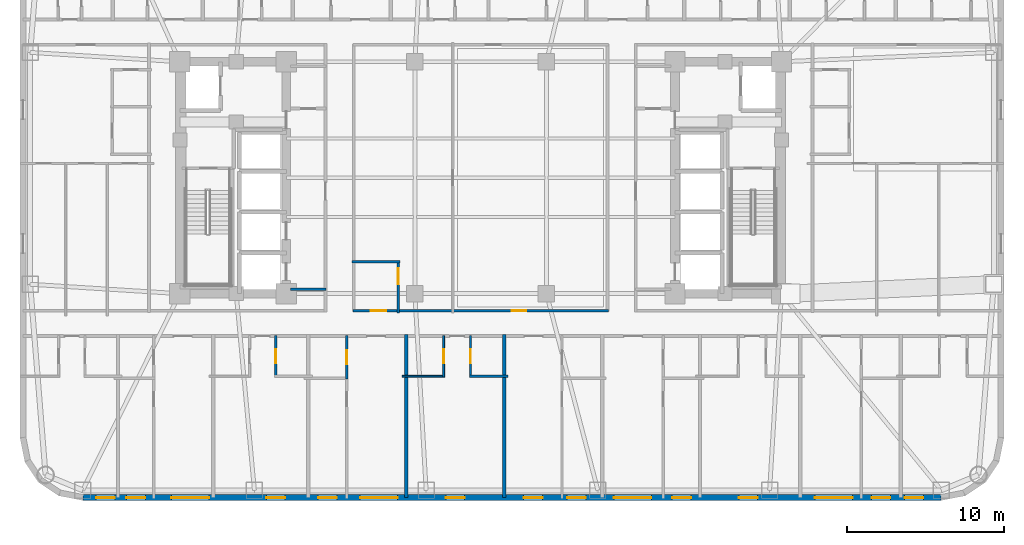
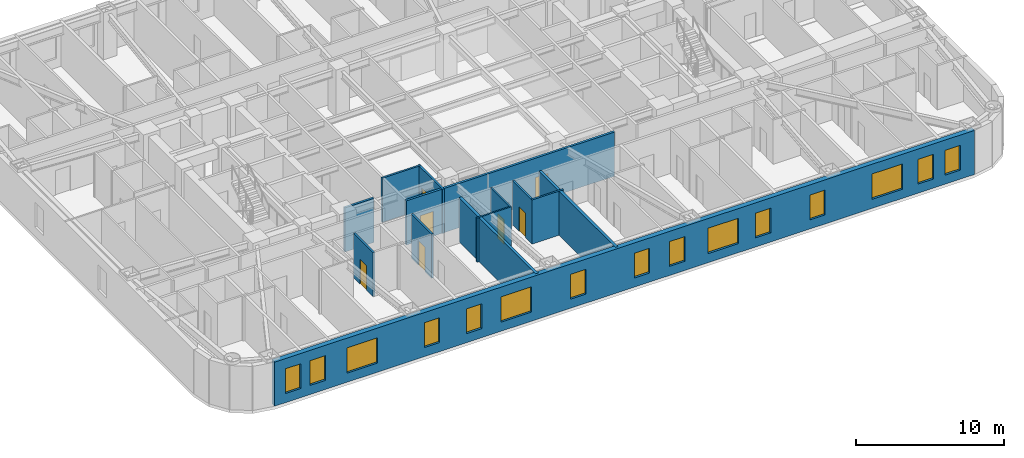
# One storey, part 3 of 13: 15 windows, 13 walls, 7 doors, 22 openings.
"""IFC4 building model written with IfcOpenShell, lengths in metres."""

from ifc_helpers import new_model, si_unit, direction, frame, frame_2d, origin, place, context, subcontext, project, spatial, rectangle, extrude, material, layer, layer_set, type_object, element, fill, save


model = new_model("IFC4")

# Units and contexts
model_context = context("Model", 3, precision=1e-05, world=origin(), true_north=direction((0.0, 1.0)))
body_context = subcontext(model_context, "Body", "Model", "MODEL_VIEW")
ifc_project = project(units=[si_unit("LENGTHUNIT", "METRE"), si_unit("AREAUNIT", "SQUARE_METRE"), si_unit("VOLUMEUNIT", "CUBIC_METRE"), si_unit("PLANEANGLEUNIT", "RADIAN"), si_unit("MASSUNIT", "GRAM", prefix="KILO")], contexts=[model_context])

# Site, building, storey
site_placement = place(None, origin())
site = spatial("IfcSite", under=ifc_project, at=site_placement, CompositionType="ELEMENT")
building_placement = place(site_placement, origin())
building = spatial("IfcBuilding", under=site, at=building_placement, Name="Voryun Gate Residences", CompositionType="ELEMENT")
storey_placement = place(building_placement, frame((0.0, 0.0, 124.800048828125)))
storey = spatial("IfcBuildingStorey", under=building, at=storey_placement, Name="L30", CompositionType="ELEMENT", Elevation=124.800048828125)

# Wall
ifc_material_1 = material(Name="Gypsum acoustic fireboard")
ifc_layer_1 = layer(ifc_material_1, 0.179931640625, Name="W_CORR_RATED_180")
ifc_layer_set_1 = layer_set([ifc_layer_1], Name="Gypsum acoustic fireboard")
wall_type_1 = type_object("IfcWallType", Name="W_CORR_RATED_180", PredefinedType="PARTITIONING", material=ifc_layer_set_1)
wall_1_placement = place(storey_placement, frame((-12.14990234375, -7.1201171875, 0.0), z_axis=(0.0, 0.0, 1.0), x_axis=(1.0, 0.0, 0.0)))
element("IfcWall", 1, at=wall_1_placement, inside=storey, type_object=wall_type_1, Name="Partition wall WP-L30-PLBS-W", PredefinedType="PARTITIONING", context=body_context, shape_type="SweptSolid", body=[
    extrude(rectangle(XDim=2.27001953125, YDim=0.179931640625, at=frame_2d((1.135009765625, 0.0))), origin(), (0.0, 0.0, 1.0), 3.64990234375),
])

# Wall, openings, doors
wall_2_placement = place(storey_placement, frame((-8.14990234375, -8.489990234375, 0.0), z_axis=(0.0, 0.0, 1.0), x_axis=(1.0, 0.0, 0.0)))
wall_2 = element("IfcWall", 2, at=wall_2_placement, inside=storey, type_object=wall_type_1, Name="Partition wall WP-L30-Z1S", PredefinedType="PARTITIONING", context=body_context, shape_type="SweptSolid", body=[
    extrude(rectangle(XDim=16.2998046875, YDim=0.179931640625, at=frame_2d((8.14990234375, 0.0))), origin(), (0.0, 0.0, 1.0), 3.64990234375),
])
opening_1_placement = place(wall_2_placement, frame((1.1298828125, 0.0, 0.0)))
opening_1 = element("IfcOpeningElement", 3, at=opening_1_placement, cuts=wall_2, Name="Opening D-AWC-1", PredefinedType="OPENING", context=body_context, shape_type="SweptSolid", body=[
    extrude(rectangle(XDim=1.0, YDim=2.050048828125, at=frame_2d((0.5, 1.02490234375))), frame((0.0, 0.099853515625, 0.0), z_axis=(0.0, -1.0, 0.0), x_axis=(1.0, 0.0, 0.0)), (0.0, 0.0, 1.0), 0.199951171875),
])
opening_2_placement = place(wall_2_placement, frame((10.1201171875, 0.0, 0.0)))
opening_2 = element("IfcOpeningElement", 4, at=opening_2_placement, cuts=wall_2, Name="Opening D-INT-1", PredefinedType="OPENING", context=body_context, shape_type="SweptSolid", body=[
    extrude(rectangle(XDim=0.949951171875, YDim=2.050048828125, at=frame_2d((0.47509765625, 1.02490234375))), frame((0.0, 0.099853515625, 0.0), z_axis=(0.0, -1.0, 0.0), x_axis=(1.0, 0.0, 0.0)), (0.0, 0.0, 1.0), 0.199951171875),
])
ifc_material_2 = material(Name="Architectural oak veneer")
door_type_1 = type_object("IfcDoorType", Name="DR_ACC_WC_1000", OperationType="NOTDEFINED", PredefinedType="DOOR", material=ifc_material_2)
door_1_placement = place(opening_1_placement, origin())
door_1 = element("IfcDoor", 5, at=door_1_placement, inside=storey, type_object=door_type_1, Name="Door DR-L30-CMWC-D", OperationType="SINGLE_SWING_LEFT", OverallHeight=2.050048828125, OverallWidth=1.0, PredefinedType="DOOR", context=body_context, shape_type="SweptSolid", body=[
    extrude(rectangle(XDim=1.0, YDim=2.050048828125, at=frame_2d((0.5, 1.02490234375))), frame((0.0, 0.02490234375, 0.0), z_axis=(0.0, -1.0, 0.0), x_axis=(1.0, 0.0, 0.0)), (0.0, 0.0, 1.0), 0.050048828125),
])
fill(opening_1, door_1)
ifc_material_3 = material(Name="Architectural oak veneer")
door_type_2 = type_object("IfcDoorType", Name="DR_INT_ROOM_950", OperationType="NOTDEFINED", PredefinedType="DOOR", material=ifc_material_3)
door_2_placement = place(opening_2_placement, origin())
door_2 = element("IfcDoor", 6, at=door_2_placement, inside=storey, type_object=door_type_2, Name="Door DR-L30-CMIDZ1S", OperationType="SINGLE_SWING_RIGHT", OverallHeight=2.050048828125, OverallWidth=0.949951171875, PredefinedType="DOOR", context=body_context, shape_type="SweptSolid", body=[
    extrude(rectangle(XDim=0.949951171875, YDim=2.050048828125, at=frame_2d((0.47509765625, 1.02490234375))), frame((0.0, 0.02490234375, 0.0), z_axis=(0.0, -1.0, 0.0), x_axis=(1.0, 0.0, 0.0)), (0.0, 0.0, 1.0), 0.050048828125),
])
fill(opening_2, door_2)

# Wall, openings, windows
ifc_material_4 = material(Name="Granite masonry", Category="masonry")
ifc_layer_2 = layer(ifc_material_4, 0.3798828125, Name="W_EXT_GRANITE_380")
ifc_layer_set_2 = layer_set([ifc_layer_2], Name="Granite masonry")
wall_type_2 = type_object("IfcWallType", Name="W_EXT_GRANITE_380", PredefinedType="ELEMENTEDWALL", material=ifc_layer_set_2)
wall_3_placement = place(storey_placement, frame((29.38134765625, -20.409912109375, 0.0), z_axis=(0.0, 0.0, 1.0), x_axis=(-1.0, 0.0, 0.0)))
wall_3 = element("IfcWall", 7, at=wall_3_placement, inside=storey, type_object=wall_type_2, Name="Exterior wall WEXT-L30-01", PredefinedType="ELEMENTEDWALL", context=body_context, shape_type="SweptSolid", body=[
    extrude(rectangle(XDim=54.7626953125, YDim=0.3798828125, at=frame_2d((27.38134765625, 0.0))), origin(), (0.0, 0.0, 1.0), 3.64990234375),
])
opening_3_placement = place(wall_3_placement, frame((5.645263671875, 0.0, 0.75)))
opening_3 = element("IfcOpeningElement", 8, at=opening_3_placement, cuts=wall_3, Name="Opening WN2", PredefinedType="OPENING", context=body_context, shape_type="SweptSolid", body=[
    extrude(rectangle(XDim=2.39990234375, YDim=2.10009765625, at=frame_2d((1.199951171875, 1.050048828125))), frame((0.0, 0.199951171875, 0.0), z_axis=(0.0, -1.0, 0.0), x_axis=(1.0, 0.0, 0.0)), (0.0, 0.0, 1.0), 0.39990234375),
])
opening_4_placement = place(wall_3_placement, frame((18.486083984375, 0.0, 0.75)))
opening_4 = element("IfcOpeningElement", 9, at=opening_4_placement, cuts=wall_3, Name="Opening WN2", PredefinedType="OPENING", context=body_context, shape_type="SweptSolid", body=[
    extrude(rectangle(XDim=2.39990234375, YDim=2.10009765625, at=frame_2d((1.199951171875, 1.050048828125))), frame((0.0, 0.199951171875, 0.0), z_axis=(0.0, -1.0, 0.0), x_axis=(1.0, 0.0, 0.0)), (0.0, 0.0, 1.0), 0.39990234375),
])
opening_5_placement = place(wall_3_placement, frame((34.676513671875, 0.0, 0.75)))
opening_5 = element("IfcOpeningElement", 10, at=opening_5_placement, cuts=wall_3, Name="Opening WN2", PredefinedType="OPENING", context=body_context, shape_type="SweptSolid", body=[
    extrude(rectangle(XDim=2.39990234375, YDim=2.10009765625, at=frame_2d((1.199951171875, 1.050048828125))), frame((0.0, 0.199951171875, 0.0), z_axis=(0.0, -1.0, 0.0), x_axis=(1.0, 0.0, 0.0)), (0.0, 0.0, 1.0), 0.39990234375),
])
opening_6_placement = place(wall_3_placement, frame((46.71728515625, 0.0, 0.75)))
opening_6 = element("IfcOpeningElement", 11, at=opening_6_placement, cuts=wall_3, Name="Opening WN2", PredefinedType="OPENING", context=body_context, shape_type="SweptSolid", body=[
    extrude(rectangle(XDim=2.39990234375, YDim=2.10009765625, at=frame_2d((1.199951171875, 1.050048828125))), frame((0.0, 0.199951171875, 0.0), z_axis=(0.0, -1.0, 0.0), x_axis=(1.0, 0.0, 0.0)), (0.0, 0.0, 1.0), 0.39990234375),
])
opening_7_placement = place(wall_3_placement, frame((52.719482421875, 0.0, 0.75)))
opening_7 = element("IfcOpeningElement", 12, at=opening_7_placement, cuts=wall_3, Name="Opening WN6", PredefinedType="OPENING", context=body_context, shape_type="SweptSolid", body=[
    extrude(rectangle(XDim=1.199951171875, YDim=2.050048828125, at=frame_2d((0.60009765625, 1.02490234375))), frame((0.0, 0.199951171875, 0.0), z_axis=(0.0, -1.0, 0.0), x_axis=(1.0, 0.0, 0.0)), (0.0, 0.0, 1.0), 0.39990234375),
])
opening_8_placement = place(wall_3_placement, frame((50.786376953125, 0.0, 0.75)))
opening_8 = element("IfcOpeningElement", 13, at=opening_8_placement, cuts=wall_3, Name="Opening WN6", PredefinedType="OPENING", context=body_context, shape_type="SweptSolid", body=[
    extrude(rectangle(XDim=1.199951171875, YDim=2.050048828125, at=frame_2d((0.60009765625, 1.02490234375))), frame((0.0, 0.199951171875, 0.0), z_axis=(0.0, -1.0, 0.0), x_axis=(1.0, 0.0, 0.0)), (0.0, 0.0, 1.0), 0.39990234375),
])
opening_9_placement = place(wall_3_placement, frame((41.85791015625, 0.0, 0.75)))
opening_9 = element("IfcOpeningElement", 14, at=opening_9_placement, cuts=wall_3, Name="Opening WN6", PredefinedType="OPENING", context=body_context, shape_type="SweptSolid", body=[
    extrude(rectangle(XDim=1.199951171875, YDim=2.050048828125, at=frame_2d((0.60009765625, 1.02490234375))), frame((0.0, 0.199951171875, 0.0), z_axis=(0.0, -1.0, 0.0), x_axis=(1.0, 0.0, 0.0)), (0.0, 0.0, 1.0), 0.39990234375),
])
opening_10_placement = place(wall_3_placement, frame((38.555908203125, 0.0, 0.75)))
opening_10 = element("IfcOpeningElement", 15, at=opening_10_placement, cuts=wall_3, Name="Opening WN6", PredefinedType="OPENING", context=body_context, shape_type="SweptSolid", body=[
    extrude(rectangle(XDim=1.199951171875, YDim=2.050048828125, at=frame_2d((0.60009765625, 1.02490234375))), frame((0.0, 0.199951171875, 0.0), z_axis=(0.0, -1.0, 0.0), x_axis=(1.0, 0.0, 0.0)), (0.0, 0.0, 1.0), 0.39990234375),
])
opening_11_placement = place(wall_3_placement, frame((30.40625, 0.0, 0.75)))
opening_11 = element("IfcOpeningElement", 16, at=opening_11_placement, cuts=wall_3, Name="Opening WN6", PredefinedType="OPENING", context=body_context, shape_type="SweptSolid", body=[
    extrude(rectangle(XDim=1.199951171875, YDim=2.050048828125, at=frame_2d((0.60009765625, 1.02490234375))), frame((0.0, 0.199951171875, 0.0), z_axis=(0.0, -1.0, 0.0), x_axis=(1.0, 0.0, 0.0)), (0.0, 0.0, 1.0), 0.39990234375),
])
opening_12_placement = place(wall_3_placement, frame((25.433837890625, 0.0, 0.75)))
opening_12 = element("IfcOpeningElement", 17, at=opening_12_placement, cuts=wall_3, Name="Opening WN6", PredefinedType="OPENING", context=body_context, shape_type="SweptSolid", body=[
    extrude(rectangle(XDim=1.199951171875, YDim=2.050048828125, at=frame_2d((0.60009765625, 1.02490234375))), frame((0.0, 0.199951171875, 0.0), z_axis=(0.0, -1.0, 0.0), x_axis=(1.0, 0.0, 0.0)), (0.0, 0.0, 1.0), 0.39990234375),
])
opening_13_placement = place(wall_3_placement, frame((22.668701171875, 0.0, 0.75)))
opening_13 = element("IfcOpeningElement", 18, at=opening_13_placement, cuts=wall_3, Name="Opening WN6", PredefinedType="OPENING", context=body_context, shape_type="SweptSolid", body=[
    extrude(rectangle(XDim=1.199951171875, YDim=2.050048828125, at=frame_2d((0.60009765625, 1.02490234375))), frame((0.0, 0.199951171875, 0.0), z_axis=(0.0, -1.0, 0.0), x_axis=(1.0, 0.0, 0.0)), (0.0, 0.0, 1.0), 0.39990234375),
])
opening_14_placement = place(wall_3_placement, frame((15.954345703125, 0.0, 0.75)))
opening_14 = element("IfcOpeningElement", 19, at=opening_14_placement, cuts=wall_3, Name="Opening WN6", PredefinedType="OPENING", context=body_context, shape_type="SweptSolid", body=[
    extrude(rectangle(XDim=1.199951171875, YDim=2.050048828125, at=frame_2d((0.60009765625, 1.02490234375))), frame((0.0, 0.199951171875, 0.0), z_axis=(0.0, -1.0, 0.0), x_axis=(1.0, 0.0, 0.0)), (0.0, 0.0, 1.0), 0.39990234375),
])
opening_15_placement = place(wall_3_placement, frame((11.6982421875, 0.0, 0.75)))
opening_15 = element("IfcOpeningElement", 20, at=opening_15_placement, cuts=wall_3, Name="Opening WN6", PredefinedType="OPENING", context=body_context, shape_type="SweptSolid", body=[
    extrude(rectangle(XDim=1.199951171875, YDim=2.050048828125, at=frame_2d((0.60009765625, 1.02490234375))), frame((0.0, 0.199951171875, 0.0), z_axis=(0.0, -1.0, 0.0), x_axis=(1.0, 0.0, 0.0)), (0.0, 0.0, 1.0), 0.39990234375),
])
opening_16_placement = place(wall_3_placement, frame((3.225341796875, 0.0, 0.75)))
opening_16 = element("IfcOpeningElement", 21, at=opening_16_placement, cuts=wall_3, Name="Opening WN6", PredefinedType="OPENING", context=body_context, shape_type="SweptSolid", body=[
    extrude(rectangle(XDim=1.199951171875, YDim=2.050048828125, at=frame_2d((0.60009765625, 1.02490234375))), frame((0.0, 0.199951171875, 0.0), z_axis=(0.0, -1.0, 0.0), x_axis=(1.0, 0.0, 0.0)), (0.0, 0.0, 1.0), 0.39990234375),
])
opening_17_placement = place(wall_3_placement, frame((1.129638671875, 0.0, 0.75)))
opening_17 = element("IfcOpeningElement", 22, at=opening_17_placement, cuts=wall_3, Name="Opening WN6", PredefinedType="OPENING", context=body_context, shape_type="SweptSolid", body=[
    extrude(rectangle(XDim=1.199951171875, YDim=2.050048828125, at=frame_2d((0.60009765625, 1.02490234375))), frame((0.0, 0.199951171875, 0.0), z_axis=(0.0, -1.0, 0.0), x_axis=(1.0, 0.0, 0.0)), (0.0, 0.0, 1.0), 0.39990234375),
])
ifc_material_5 = material(Name="Laminated low-E glass", Category="glass")
window_type_1 = type_object("IfcWindowType", Name="WN_POD_SLOT_1200", PartitioningType="SINGLE_PANEL", PredefinedType="WINDOW", material=ifc_material_5)
window_1_placement = place(opening_7_placement, origin())
window_1 = element("IfcWindow", 23, at=window_1_placement, inside=storey, type_object=window_type_1, Name="Window WN-L30-DWFIX-16", OverallHeight=2.050048828125, OverallWidth=1.199951171875, PartitioningType="SINGLE_PANEL", PredefinedType="WINDOW", context=body_context, shape_type="SweptSolid", body=[
    extrude(rectangle(XDim=1.199951171875, YDim=2.050048828125, at=frame_2d((0.60009765625, 1.02490234375))), frame((0.0, 0.030029296875, 0.0), z_axis=(0.0, -1.0, 0.0), x_axis=(1.0, 0.0, 0.0)), (0.0, 0.0, 1.0), 0.06005859375),
])
fill(opening_7, window_1)
window_2_placement = place(opening_8_placement, origin())
window_2 = element("IfcWindow", 24, at=window_2_placement, inside=storey, type_object=window_type_1, Name="Window WN-L30-DWFIX-17", OverallHeight=2.050048828125, OverallWidth=1.199951171875, PartitioningType="SINGLE_PANEL", PredefinedType="WINDOW", context=body_context, shape_type="SweptSolid", body=[
    extrude(rectangle(XDim=1.199951171875, YDim=2.050048828125, at=frame_2d((0.60009765625, 1.02490234375))), frame((0.0, 0.030029296875, 0.0), z_axis=(0.0, -1.0, 0.0), x_axis=(1.0, 0.0, 0.0)), (0.0, 0.0, 1.0), 0.06005859375),
])
fill(opening_8, window_2)
window_3_placement = place(opening_9_placement, origin())
window_3 = element("IfcWindow", 25, at=window_3_placement, inside=storey, type_object=window_type_1, Name="Window WN-L30-DWFIX-18", OverallHeight=2.050048828125, OverallWidth=1.199951171875, PartitioningType="SINGLE_PANEL", PredefinedType="WINDOW", context=body_context, shape_type="SweptSolid", body=[
    extrude(rectangle(XDim=1.199951171875, YDim=2.050048828125, at=frame_2d((0.60009765625, 1.02490234375))), frame((0.0, 0.030029296875, 0.0), z_axis=(0.0, -1.0, 0.0), x_axis=(1.0, 0.0, 0.0)), (0.0, 0.0, 1.0), 0.06005859375),
])
fill(opening_9, window_3)
window_4_placement = place(opening_10_placement, origin())
window_4 = element("IfcWindow", 26, at=window_4_placement, inside=storey, type_object=window_type_1, Name="Window WN-L30-DWFIX-19", OverallHeight=2.050048828125, OverallWidth=1.199951171875, PartitioningType="SINGLE_PANEL", PredefinedType="WINDOW", context=body_context, shape_type="SweptSolid", body=[
    extrude(rectangle(XDim=1.199951171875, YDim=2.050048828125, at=frame_2d((0.60009765625, 1.02490234375))), frame((0.0, 0.030029296875, 0.0), z_axis=(0.0, -1.0, 0.0), x_axis=(1.0, 0.0, 0.0)), (0.0, 0.0, 1.0), 0.06005859375),
])
fill(opening_10, window_4)
window_5_placement = place(opening_11_placement, origin())
window_5 = element("IfcWindow", 27, at=window_5_placement, inside=storey, type_object=window_type_1, Name="Window WN-L30-DWFIX-20", OverallHeight=2.050048828125, OverallWidth=1.199951171875, PartitioningType="SINGLE_PANEL", PredefinedType="WINDOW", context=body_context, shape_type="SweptSolid", body=[
    extrude(rectangle(XDim=1.199951171875, YDim=2.050048828125, at=frame_2d((0.60009765625, 1.02490234375))), frame((0.0, 0.030029296875, 0.0), z_axis=(0.0, -1.0, 0.0), x_axis=(1.0, 0.0, 0.0)), (0.0, 0.0, 1.0), 0.06005859375),
])
fill(opening_11, window_5)
window_6_placement = place(opening_12_placement, origin())
window_6 = element("IfcWindow", 28, at=window_6_placement, inside=storey, type_object=window_type_1, Name="Window WN-L30-DWFIX-21", OverallHeight=2.050048828125, OverallWidth=1.199951171875, PartitioningType="SINGLE_PANEL", PredefinedType="WINDOW", context=body_context, shape_type="SweptSolid", body=[
    extrude(rectangle(XDim=1.199951171875, YDim=2.050048828125, at=frame_2d((0.60009765625, 1.02490234375))), frame((0.0, 0.030029296875, 0.0), z_axis=(0.0, -1.0, 0.0), x_axis=(1.0, 0.0, 0.0)), (0.0, 0.0, 1.0), 0.06005859375),
])
fill(opening_12, window_6)
window_7_placement = place(opening_13_placement, origin())
window_7 = element("IfcWindow", 29, at=window_7_placement, inside=storey, type_object=window_type_1, Name="Window WN-L30-DWFIX-22", OverallHeight=2.050048828125, OverallWidth=1.199951171875, PartitioningType="SINGLE_PANEL", PredefinedType="WINDOW", context=body_context, shape_type="SweptSolid", body=[
    extrude(rectangle(XDim=1.199951171875, YDim=2.050048828125, at=frame_2d((0.60009765625, 1.02490234375))), frame((0.0, 0.030029296875, 0.0), z_axis=(0.0, -1.0, 0.0), x_axis=(1.0, 0.0, 0.0)), (0.0, 0.0, 1.0), 0.06005859375),
])
fill(opening_13, window_7)
window_8_placement = place(opening_14_placement, origin())
window_8 = element("IfcWindow", 30, at=window_8_placement, inside=storey, type_object=window_type_1, Name="Window WN-L30-DWFIX-23", OverallHeight=2.050048828125, OverallWidth=1.199951171875, PartitioningType="SINGLE_PANEL", PredefinedType="WINDOW", context=body_context, shape_type="SweptSolid", body=[
    extrude(rectangle(XDim=1.199951171875, YDim=2.050048828125, at=frame_2d((0.60009765625, 1.02490234375))), frame((0.0, 0.030029296875, 0.0), z_axis=(0.0, -1.0, 0.0), x_axis=(1.0, 0.0, 0.0)), (0.0, 0.0, 1.0), 0.06005859375),
])
fill(opening_14, window_8)
window_9_placement = place(opening_15_placement, origin())
window_9 = element("IfcWindow", 31, at=window_9_placement, inside=storey, type_object=window_type_1, Name="Window WN-L30-DWFIX-24", OverallHeight=2.050048828125, OverallWidth=1.199951171875, PartitioningType="SINGLE_PANEL", PredefinedType="WINDOW", context=body_context, shape_type="SweptSolid", body=[
    extrude(rectangle(XDim=1.199951171875, YDim=2.050048828125, at=frame_2d((0.60009765625, 1.02490234375))), frame((0.0, 0.030029296875, 0.0), z_axis=(0.0, -1.0, 0.0), x_axis=(1.0, 0.0, 0.0)), (0.0, 0.0, 1.0), 0.06005859375),
])
fill(opening_15, window_9)
window_10_placement = place(opening_16_placement, origin())
window_10 = element("IfcWindow", 32, at=window_10_placement, inside=storey, type_object=window_type_1, Name="Window WN-L30-DWFIX-25", OverallHeight=2.050048828125, OverallWidth=1.199951171875, PartitioningType="SINGLE_PANEL", PredefinedType="WINDOW", context=body_context, shape_type="SweptSolid", body=[
    extrude(rectangle(XDim=1.199951171875, YDim=2.050048828125, at=frame_2d((0.60009765625, 1.02490234375))), frame((0.0, 0.030029296875, 0.0), z_axis=(0.0, -1.0, 0.0), x_axis=(1.0, 0.0, 0.0)), (0.0, 0.0, 1.0), 0.06005859375),
])
fill(opening_16, window_10)
window_11_placement = place(opening_17_placement, origin())
window_11 = element("IfcWindow", 33, at=window_11_placement, inside=storey, type_object=window_type_1, Name="Window WN-L30-DWFIX-26", OverallHeight=2.050048828125, OverallWidth=1.199951171875, PartitioningType="SINGLE_PANEL", PredefinedType="WINDOW", context=body_context, shape_type="SweptSolid", body=[
    extrude(rectangle(XDim=1.199951171875, YDim=2.050048828125, at=frame_2d((0.60009765625, 1.02490234375))), frame((0.0, 0.030029296875, 0.0), z_axis=(0.0, -1.0, 0.0), x_axis=(1.0, 0.0, 0.0)), (0.0, 0.0, 1.0), 0.06005859375),
])
fill(opening_17, window_11)
ifc_material_6 = material(Name="Laminated low-E glass", Category="glass")
window_type_2 = type_object("IfcWindowType", Name="WN_RES_WIDE_2400", PartitioningType="SINGLE_PANEL", PredefinedType="WINDOW", material=ifc_material_6)
window_12_placement = place(opening_3_placement, origin())
window_12 = element("IfcWindow", 34, at=window_12_placement, inside=storey, type_object=window_type_2, Name="Window WN-WEXT-L30-01-01", OverallHeight=2.10009765625, OverallWidth=2.39990234375, PartitioningType="SINGLE_PANEL", PredefinedType="WINDOW", context=body_context, shape_type="SweptSolid", body=[
    extrude(rectangle(XDim=2.39990234375, YDim=2.10009765625, at=frame_2d((1.199951171875, 1.050048828125))), frame((0.0, 0.030029296875, 0.0), z_axis=(0.0, -1.0, 0.0), x_axis=(1.0, 0.0, 0.0)), (0.0, 0.0, 1.0), 0.06005859375),
])
fill(opening_3, window_12)
window_13_placement = place(opening_4_placement, origin())
window_13 = element("IfcWindow", 35, at=window_13_placement, inside=storey, type_object=window_type_2, Name="Window WN-WEXT-L30-01-02", OverallHeight=2.10009765625, OverallWidth=2.39990234375, PartitioningType="SINGLE_PANEL", PredefinedType="WINDOW", context=body_context, shape_type="SweptSolid", body=[
    extrude(rectangle(XDim=2.39990234375, YDim=2.10009765625, at=frame_2d((1.199951171875, 1.050048828125))), frame((0.0, 0.030029296875, 0.0), z_axis=(0.0, -1.0, 0.0), x_axis=(1.0, 0.0, 0.0)), (0.0, 0.0, 1.0), 0.06005859375),
])
fill(opening_4, window_13)
window_14_placement = place(opening_5_placement, origin())
window_14 = element("IfcWindow", 36, at=window_14_placement, inside=storey, type_object=window_type_2, Name="Window WN-WEXT-L30-01-03", OverallHeight=2.10009765625, OverallWidth=2.39990234375, PartitioningType="SINGLE_PANEL", PredefinedType="WINDOW", context=body_context, shape_type="SweptSolid", body=[
    extrude(rectangle(XDim=2.39990234375, YDim=2.10009765625, at=frame_2d((1.199951171875, 1.050048828125))), frame((0.0, 0.030029296875, 0.0), z_axis=(0.0, -1.0, 0.0), x_axis=(1.0, 0.0, 0.0)), (0.0, 0.0, 1.0), 0.06005859375),
])
fill(opening_5, window_14)
window_15_placement = place(opening_6_placement, origin())
window_15 = element("IfcWindow", 37, at=window_15_placement, inside=storey, type_object=window_type_2, Name="Window WN-WEXT-L30-01-04", OverallHeight=2.10009765625, OverallWidth=2.39990234375, PartitioningType="SINGLE_PANEL", PredefinedType="WINDOW", context=body_context, shape_type="SweptSolid", body=[
    extrude(rectangle(XDim=2.39990234375, YDim=2.10009765625, at=frame_2d((1.199951171875, 1.050048828125))), frame((0.0, 0.030029296875, 0.0), z_axis=(0.0, -1.0, 0.0), x_axis=(1.0, 0.0, 0.0)), (0.0, 0.0, 1.0), 0.06005859375),
])
fill(opening_6, window_15)

# Walls
ifc_material_7 = material(Name="Concrete C40/50", Category="concrete")
ifc_layer_3 = layer(ifc_material_7, 0.219970703125, Name="W_PARTY_ACOUSTIC_220")
ifc_layer_set_3 = layer_set([ifc_layer_3], Name="Concrete C40/50")
wall_type_3 = type_object("IfcWallType", Name="W_PARTY_ACOUSTIC_220", PredefinedType="PARTITIONING", material=ifc_layer_set_3)
for number, where, z_axis, x_axis, name in (
    (38, (-4.75, -20.409912109375, 0.0), (0.0, 0.0, 1.0), (0.0, 1.0, 0.0), "Partition wall WP-L30-SPTY-4"),
    (39, (1.5, -20.409912109375, 0.0), (0.0, 0.0, 1.0), (0.0, 1.0, 0.0), "Partition wall WP-L30-SPTY-5"),
):
    element("IfcWall", number, at=place(storey_placement, frame(where, z_axis=z_axis, x_axis=x_axis)), inside=storey, type_object=wall_type_3, Name=name, PredefinedType="PARTITIONING", context=body_context, shape_type="SweptSolid", body=[
        extrude(rectangle(XDim=10.389892578125, YDim=0.219970703125, at=frame_2d((5.19482421875, 0.0))), origin(), (0.0, 0.0, 1.0), 3.64990234375),
    ])

# Wall, opening, door
ifc_material_8 = material(Name="Gypsum acoustic partition")
ifc_layer_4 = layer(ifc_material_8, 0.125, Name="W_UNIT_PART_125")
ifc_layer_set_4 = layer_set([ifc_layer_4], Name="Gypsum acoustic partition")
wall_type_4 = type_object("IfcWallType", Name="W_UNIT_PART_125", PredefinedType="PARTITIONING", material=ifc_layer_set_4)
wall_4_placement = place(storey_placement, frame((-2.361083984375, -12.72998046875, 0.0), z_axis=(0.0, 0.0, 1.0), x_axis=(0.0, 1.0, 0.0)))
wall_4 = element("IfcWall", 40, at=wall_4_placement, inside=storey, type_object=wall_type_4, Name="Partition wall WP-L30-S5-CVK", PredefinedType="PARTITIONING", context=body_context, shape_type="SweptSolid", body=[
    extrude(rectangle(XDim=2.64990234375, YDim=0.125, at=frame_2d((1.324951171875, 0.0))), origin(), (0.0, 0.0, 1.0), 3.64990234375),
])
opening_18_placement = place(wall_4_placement, frame((0.875, 0.0, 0.0)))
opening_18 = element("IfcOpeningElement", 41, at=opening_18_placement, cuts=wall_4, Name="Opening D-INT-2", PredefinedType="OPENING", context=body_context, shape_type="SweptSolid", body=[
    extrude(rectangle(XDim=0.89990234375, YDim=2.050048828125, at=frame_2d((0.449951171875, 1.02490234375))), frame((0.0, 0.072509765625, 0.0), z_axis=(0.0, -1.0, 0.0), x_axis=(1.0, 0.0, 0.0)), (0.0, 0.0, 1.0), 0.14501953125),
])
ifc_material_9 = material(Name="Architectural oak veneer")
door_type_3 = type_object("IfcDoorType", Name="DR_INT_BATH_900", OperationType="NOTDEFINED", PredefinedType="DOOR", material=ifc_material_9)
door_3_placement = place(opening_18_placement, origin())
door_3 = element("IfcDoor", 42, at=door_3_placement, inside=storey, type_object=door_type_3, Name="Door DR-L30-S5-DK", OperationType="SINGLE_SWING_LEFT", OverallHeight=2.050048828125, OverallWidth=0.89990234375, PredefinedType="DOOR", context=body_context, shape_type="SweptSolid", body=[
    extrude(rectangle(XDim=0.89990234375, YDim=2.050048828125, at=frame_2d((0.449951171875, 1.02490234375))), frame((0.0, 0.02490234375, 0.0), z_axis=(0.0, -1.0, 0.0), x_axis=(1.0, 0.0, 0.0)), (0.0, 0.0, 1.0), 0.050048828125),
])
fill(opening_18, door_3)

# Wall
wall_5_placement = place(storey_placement, frame((-5.010009765625, -12.669921875, 0.0), z_axis=(0.0, 0.0, 1.0), x_axis=(1.0, 0.0, 0.0)))
element("IfcWall", 43, at=wall_5_placement, inside=storey, type_object=wall_type_4, Name="Partition wall WP-L30-S5-CHK", PredefinedType="PARTITIONING", context=body_context, shape_type="SweptSolid", body=[
    extrude(rectangle(XDim=2.708984375, YDim=0.125, at=frame_2d((1.3544921875, 0.0))), origin(), (0.0, 0.0, 1.0), 3.64990234375),
])

# Wall, opening, door
ifc_material_10 = material(Name="Gypsum moisture-resistant partition")
ifc_layer_5 = layer(ifc_material_10, 0.14990234375, Name="W_WET_PLUMB_150")
ifc_layer_set_5 = layer_set([ifc_layer_5], Name="Gypsum moisture-resistant partition")
wall_type_5 = type_object("IfcWallType", Name="W_WET_PLUMB_150", PredefinedType="PLUMBINGWALL", material=ifc_layer_set_5)
wall_6_placement = place(storey_placement, frame((-5.260009765625, -8.6201171875, 0.0), z_axis=(0.0, 0.0, 1.0), x_axis=(0.0, 1.0, 0.0)))
wall_6 = element("IfcWall", 44, at=wall_6_placement, inside=storey, type_object=wall_type_5, Name="Partition wall WP-L30-CMWCX", PredefinedType="PLUMBINGWALL", context=body_context, shape_type="SweptSolid", body=[
    extrude(rectangle(XDim=3.35009765625, YDim=0.14990234375, at=frame_2d((1.675048828125, 0.0))), origin(), (0.0, 0.0, 1.0), 3.64990234375),
])
opening_19_placement = place(wall_6_placement, frame((1.8349609375, 0.0, 0.0)))
opening_19 = element("IfcOpeningElement", 45, at=opening_19_placement, cuts=wall_6, Name="Opening D-AWC-1", PredefinedType="OPENING", context=body_context, shape_type="SweptSolid", body=[
    extrude(rectangle(XDim=1.0, YDim=2.050048828125, at=frame_2d((0.5, 1.02490234375))), frame((0.0, 0.0849609375, 0.0), z_axis=(0.0, -1.0, 0.0), x_axis=(1.0, 0.0, 0.0)), (0.0, 0.0, 1.0), 0.169921875),
])
door_4_placement = place(opening_19_placement, origin())
door_4 = element("IfcDoor", 46, at=door_4_placement, inside=storey, type_object=door_type_1, Name="Door DR-L30-CMWC", OperationType="SINGLE_SWING_LEFT", OverallHeight=2.050048828125, OverallWidth=1.0, PredefinedType="DOOR", context=body_context, shape_type="SweptSolid", body=[
    extrude(rectangle(XDim=1.0, YDim=2.050048828125, at=frame_2d((0.5, 1.02490234375))), frame((0.0, 0.02490234375, 0.0), z_axis=(0.0, -1.0, 0.0), x_axis=(1.0, 0.0, 0.0)), (0.0, 0.0, 1.0), 0.050048828125),
])
fill(opening_19, door_4)

# Wall
wall_7_placement = place(storey_placement, frame((-8.2099609375, -5.3701171875, 0.0), z_axis=(0.0, 0.0, 1.0), x_axis=(1.0, 0.0, 0.0)))
element("IfcWall", 47, at=wall_7_placement, inside=storey, type_object=wall_type_5, Name="Partition wall WP-L30-CMWCY", PredefinedType="PLUMBINGWALL", context=body_context, shape_type="SweptSolid", body=[
    extrude(rectangle(XDim=3.050048828125, YDim=0.14990234375, at=frame_2d((1.52490234375, 0.0))), origin(), (0.0, 0.0, 1.0), 3.64990234375),
])

# Wall, opening, door
wall_8_placement = place(storey_placement, frame((-13.083984375, -12.72998046875, 0.0), z_axis=(0.0, 0.0, 1.0), x_axis=(0.0, 1.0, 0.0)))
wall_8 = element("IfcWall", 48, at=wall_8_placement, inside=storey, type_object=wall_type_5, Name="Partition wall WP-L30-S3-CVB", PredefinedType="PLUMBINGWALL", context=body_context, shape_type="SweptSolid", body=[
    extrude(rectangle(XDim=2.64990234375, YDim=0.14990234375, at=frame_2d((1.324951171875, 0.0))), origin(), (0.0, 0.0, 1.0), 3.64990234375),
])
opening_20_placement = place(wall_8_placement, frame((0.875, 0.0, 0.0)))
opening_20 = element("IfcOpeningElement", 49, at=opening_20_placement, cuts=wall_8, Name="Opening D-INT-2", PredefinedType="OPENING", context=body_context, shape_type="SweptSolid", body=[
    extrude(rectangle(XDim=0.89990234375, YDim=2.050048828125, at=frame_2d((0.449951171875, 1.02490234375))), frame((0.0, 0.0849609375, 0.0), z_axis=(0.0, -1.0, 0.0), x_axis=(1.0, 0.0, 0.0)), (0.0, 0.0, 1.0), 0.169921875),
])
door_5_placement = place(opening_20_placement, origin())
door_5 = element("IfcDoor", 50, at=door_5_placement, inside=storey, type_object=door_type_3, Name="Door DR-L30-S3-DB", OperationType="SINGLE_SWING_RIGHT", OverallHeight=2.050048828125, OverallWidth=0.89990234375, PredefinedType="DOOR", context=body_context, shape_type="SweptSolid", body=[
    extrude(rectangle(XDim=0.89990234375, YDim=2.050048828125, at=frame_2d((0.449951171875, 1.02490234375))), frame((0.0, 0.02490234375, 0.0), z_axis=(0.0, -1.0, 0.0), x_axis=(1.0, 0.0, 0.0)), (0.0, 0.0, 1.0), 0.050048828125),
])
fill(opening_20, door_5)

wall_9_placement = place(storey_placement, frame((-8.549072265625, -12.840087890625, 0.0), z_axis=(0.0, 0.0, 1.0), x_axis=(0.0, 1.0, 0.0)))
wall_9 = element("IfcWall", 51, at=wall_9_placement, inside=storey, type_object=wall_type_5, Name="Partition wall WP-L30-S4-SVT2", PredefinedType="PLUMBINGWALL", context=body_context, shape_type="SweptSolid", body=[
    extrude(rectangle(XDim=2.760009765625, YDim=0.14990234375, at=frame_2d((1.3798828125, 0.0))), origin(), (0.0, 0.0, 1.0), 3.64990234375),
])
opening_21_placement = place(wall_9_placement, frame((0.929931640625, 0.0, 0.0)))
opening_21 = element("IfcOpeningElement", 52, at=opening_21_placement, cuts=wall_9, Name="Opening D-INT-2", PredefinedType="OPENING", context=body_context, shape_type="SweptSolid", body=[
    extrude(rectangle(XDim=0.89990234375, YDim=2.050048828125, at=frame_2d((0.449951171875, 1.02490234375))), frame((0.0, 0.0849609375, 0.0), z_axis=(0.0, -1.0, 0.0), x_axis=(1.0, 0.0, 0.0)), (0.0, 0.0, 1.0), 0.169921875),
])
door_6_placement = place(opening_21_placement, origin())
door_6 = element("IfcDoor", 53, at=door_6_placement, inside=storey, type_object=door_type_3, Name="Door DR-L30-S4-DB", OperationType="SINGLE_SWING_RIGHT", OverallHeight=2.050048828125, OverallWidth=0.89990234375, PredefinedType="DOOR", context=body_context, shape_type="SweptSolid", body=[
    extrude(rectangle(XDim=0.89990234375, YDim=2.050048828125, at=frame_2d((0.449951171875, 1.02490234375))), frame((0.0, 0.02490234375, 0.0), z_axis=(0.0, -1.0, 0.0), x_axis=(1.0, 0.0, 0.0)), (0.0, 0.0, 1.0), 0.050048828125),
])
fill(opening_21, door_6)

wall_10_placement = place(storey_placement, frame((-0.64404296875, -12.72998046875, 0.0), z_axis=(0.0, 0.0, 1.0), x_axis=(0.0, 1.0, 0.0)))
wall_10 = element("IfcWall", 54, at=wall_10_placement, inside=storey, type_object=wall_type_5, Name="Partition wall WP-L30-S5-CVB", PredefinedType="PLUMBINGWALL", context=body_context, shape_type="SweptSolid", body=[
    extrude(rectangle(XDim=2.64990234375, YDim=0.14990234375, at=frame_2d((1.324951171875, 0.0))), origin(), (0.0, 0.0, 1.0), 3.64990234375),
])
opening_22_placement = place(wall_10_placement, frame((0.875, 0.0, 0.0)))
opening_22 = element("IfcOpeningElement", 55, at=opening_22_placement, cuts=wall_10, Name="Opening D-INT-2", PredefinedType="OPENING", context=body_context, shape_type="SweptSolid", body=[
    extrude(rectangle(XDim=0.89990234375, YDim=2.050048828125, at=frame_2d((0.449951171875, 1.02490234375))), frame((0.0, 0.0849609375, 0.0), z_axis=(0.0, -1.0, 0.0), x_axis=(1.0, 0.0, 0.0)), (0.0, 0.0, 1.0), 0.169921875),
])
door_7_placement = place(opening_22_placement, origin())
door_7 = element("IfcDoor", 56, at=door_7_placement, inside=storey, type_object=door_type_3, Name="Door DR-L30-S5-DB", OperationType="SINGLE_SWING_RIGHT", OverallHeight=2.050048828125, OverallWidth=0.89990234375, PredefinedType="DOOR", context=body_context, shape_type="SweptSolid", body=[
    extrude(rectangle(XDim=0.89990234375, YDim=2.050048828125, at=frame_2d((0.449951171875, 1.02490234375))), frame((0.0, 0.02490234375, 0.0), z_axis=(0.0, -1.0, 0.0), x_axis=(1.0, 0.0, 0.0)), (0.0, 0.0, 1.0), 0.050048828125),
])
fill(opening_22, door_7)

# Wall
wall_11_placement = place(storey_placement, frame((-0.7041015625, -12.669921875, 0.0), z_axis=(0.0, 0.0, 1.0), x_axis=(1.0, 0.0, 0.0)))
element("IfcWall", 57, at=wall_11_placement, inside=storey, type_object=wall_type_5, Name="Partition wall WP-L30-S5-CHB", PredefinedType="PLUMBINGWALL", context=body_context, shape_type="SweptSolid", body=[
    extrude(rectangle(XDim=2.464111328125, YDim=0.14990234375, at=frame_2d((1.23193359375, 0.0))), origin(), (0.0, 0.0, 1.0), 3.64990234375),
])

save(model, "model.ifc")
